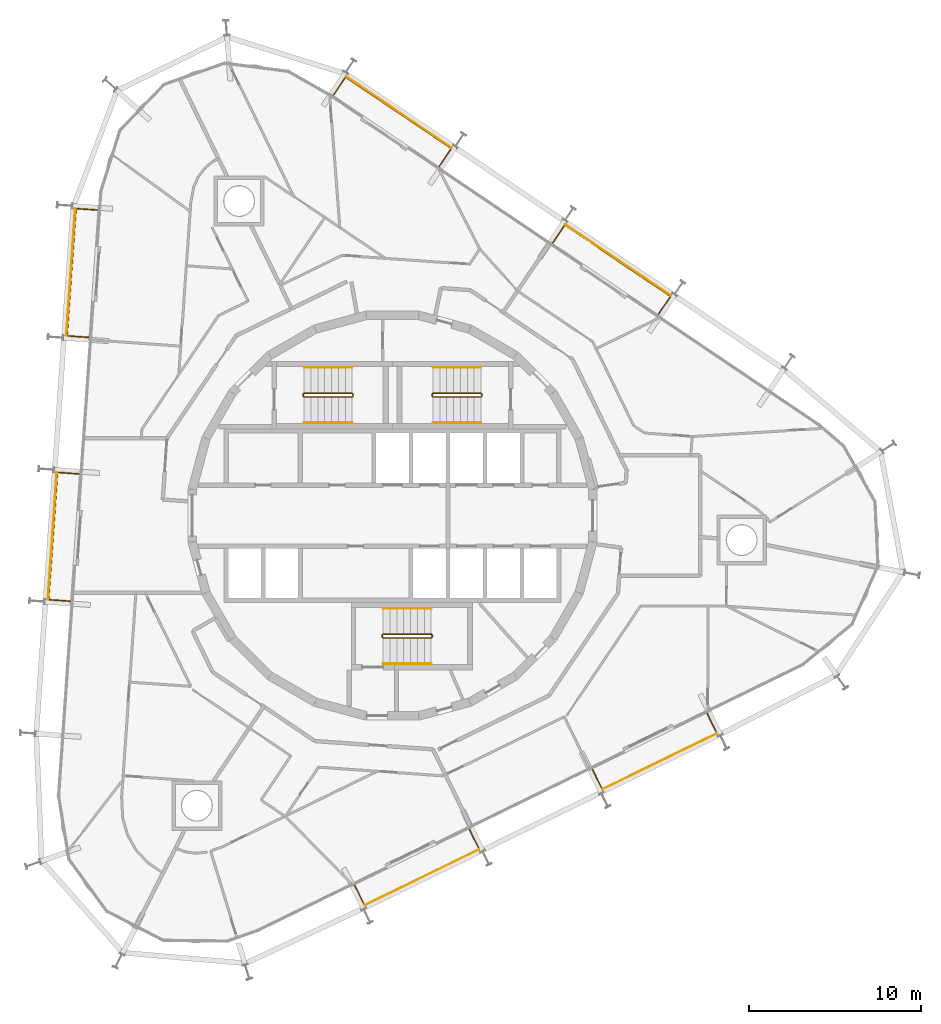
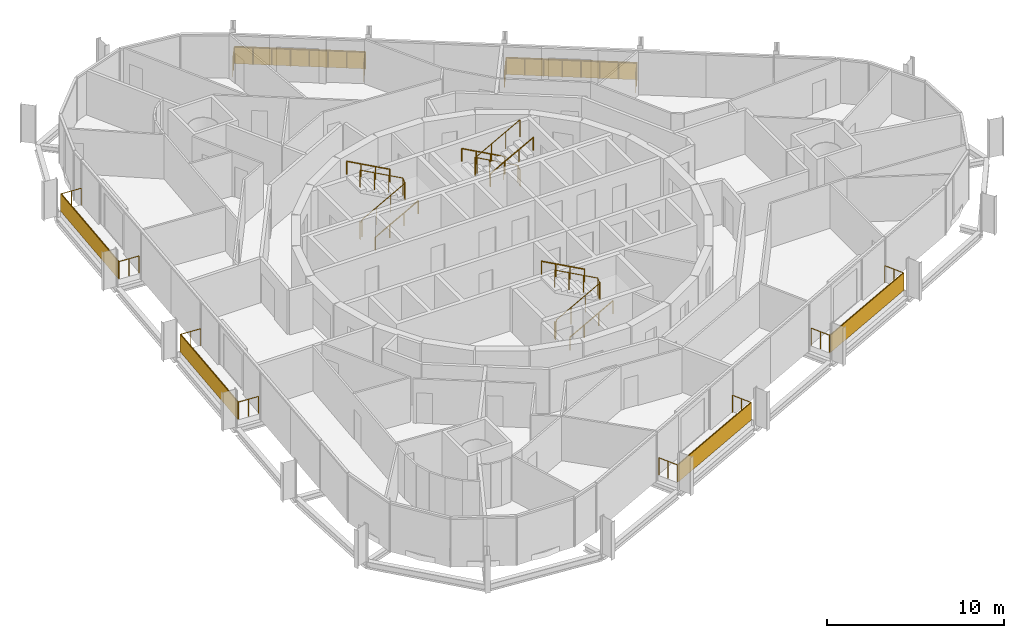
# One storey, part 17 of 17: 15 railings, 6 shading devices.
"""IFC4 building model written with IfcOpenShell, lengths in metres."""

import ifcopenshell
import ifcopenshell.guid

model = None  # the IFC model being written
_history = None  # IfcOwnerHistory: only IFC2X3 demands one
_inside = {}  # id of a spatial element -> (the spatial element, [elements in it])
_under = {}  # id of a project, library or spatial element -> (it, [spatial elements below it])
_declared = {}  # id of a project -> (the project, [libraries it declares])
_typed = {}  # id of a type object -> (the type object, [elements of that type])
_made_of = {}  # id of a material, layer set ... -> (it, [elements and type objects made of it])


def new_model(schema):
    """Start an empty IFC model of exactly this schema.

    Asked for "IFC4X3", IfcOpenShell would pick the latest addendum, in which some entities
    have other attributes; the version numbers below select the first issue.
    IFC2X3 requires an IfcOwnerHistory on every rooted entity: one is made here for all.
    """
    global model, _history
    if schema == "IFC4X3":
        model = ifcopenshell.file(schema_version=(4, 3, 0, 0))
    else:
        model = ifcopenshell.file(schema=schema)
    _inside.clear()
    _under.clear()
    _declared.clear()
    _typed.clear()
    _made_of.clear()
    _history = None
    if model.schema == "IFC2X3":
        org = make("IfcOrganization", Name="unknown")
        user = make(
            "IfcPersonAndOrganization",
            ThePerson=make("IfcPerson", FamilyName="unknown"),
            TheOrganization=org,
        )
        app = make(
            "IfcApplication",
            ApplicationDeveloper=org,
            Version="unknown",
            ApplicationFullName="unknown",
            ApplicationIdentifier="unknown",
        )
        _history = make(
            "IfcOwnerHistory",
            OwningUser=user,
            OwningApplication=app,
            ChangeAction="ADDED",
            CreationDate=0,
        )
    return model


def make(cls, **values):
    """One entity of the class cls with the attributes given. An attribute that is None is left unset."""
    return model.create_entity(
        cls, **{name: value for name, value in values.items() if value is not None}
    )


def rooted(cls, **values):
    """An entity with a GlobalId (a new one), such as an element, a storey or a relation."""
    return make(cls, GlobalId=ifcopenshell.guid.new(), OwnerHistory=_history, **values)


def si_unit(unit_type, name, prefix=None):
    """IfcSIUnit, for example si_unit("LENGTHUNIT", "METRE", prefix="MILLI")."""
    return make("IfcSIUnit", UnitType=unit_type, Prefix=prefix, Name=name)


def assignment(units):
    """IfcUnitAssignment: the units of a project."""
    return None if units is None else make("IfcUnitAssignment", Units=units)


def point(xyz):
    """IfcCartesianPoint."""
    return None if xyz is None else make("IfcCartesianPoint", Coordinates=xyz)


def direction(xyz):
    """IfcDirection."""
    return None if xyz is None else make("IfcDirection", DirectionRatios=xyz)


def frame(location, z_axis=None, x_axis=None):
    """IfcAxis2Placement3D, a coordinate frame: its origin and axes. An axis left out is left unset."""
    return make(
        "IfcAxis2Placement3D",
        Location=point(location),
        Axis=direction(z_axis),
        RefDirection=direction(x_axis),
    )


def frame_2d(location, x_axis=None):
    """IfcAxis2Placement2D, a coordinate frame in the plane: its origin and x axis."""
    return make(
        "IfcAxis2Placement2D", Location=point(location), RefDirection=direction(x_axis)
    )


def origin():
    """The frame at (0, 0, 0) with its axes left unset."""
    return frame((0.0, 0.0, 0.0))


def origin_2d():
    """The frame at (0, 0) in the plane with its x axis left unset."""
    return frame_2d((0.0, 0.0))


def place(relative_to, where):
    """IfcLocalPlacement: puts the frame where relative to a parent placement (None: the world)."""
    return make(
        "IfcLocalPlacement", PlacementRelTo=relative_to, RelativePlacement=where
    )


def context(
    kind, dimensions, precision=None, world=None, true_north=None, identifier=None
):
    """IfcGeometricRepresentationContext, for example the 3D "Model" context."""
    return make(
        "IfcGeometricRepresentationContext",
        ContextIdentifier=identifier,
        ContextType=kind,
        CoordinateSpaceDimension=dimensions,
        Precision=precision,
        WorldCoordinateSystem=world,
        TrueNorth=true_north,
    )


def subcontext(parent, identifier, kind, view, scale=None):
    """IfcGeometricRepresentationSubContext, for example "Body" below "Model"."""
    return make(
        "IfcGeometricRepresentationSubContext",
        ContextIdentifier=identifier,
        ContextType=kind,
        ParentContext=parent,
        TargetScale=scale,
        TargetView=view,
    )


def project(units=None, contexts=None):
    """IfcProject with its units and contexts."""
    return rooted(
        "IfcProject",
        Name="project",
        RepresentationContexts=contexts,
        UnitsInContext=assignment(units),
    )


def spatial(cls, under=None, at=None, **own):
    """A site, building, storey or space (cls), placed at a placement, below another one or the project."""
    s = rooted(cls, ObjectPlacement=at, **own)
    if under is not None:
        _under.setdefault(under.id(), (under, []))[1].append(s)
    return s


def profile(cls, at=None, kind="AREA", **sizes):
    """A parametric profile (cls). Its sizes go by their IFC names, for example OverallWidth=200.0."""
    return make(cls, ProfileType=kind, Position=at, **sizes)


def rectangle(**sizes):
    """IfcRectangleProfileDef."""
    return profile("IfcRectangleProfileDef", **sizes)


def circle(**sizes):
    """IfcCircleProfileDef."""
    return profile("IfcCircleProfileDef", **sizes)


def extrude(swept, where, along, depth):
    """IfcExtrudedAreaSolid: the profile swept, set in the frame where, extruded along a direction by depth."""
    return make(
        "IfcExtrudedAreaSolid",
        SweptArea=swept,
        Position=where,
        ExtrudedDirection=direction(along),
        Depth=depth,
    )


def shape(context_of_items, identifier, shape_type, items):
    """IfcShapeRepresentation: the items that make up one representation, for example the "Body"."""
    return make(
        "IfcShapeRepresentation",
        ContextOfItems=context_of_items,
        RepresentationIdentifier=identifier,
        RepresentationType=shape_type,
        Items=items,
    )


def material(Name=None, Category=None):
    """IfcMaterial."""
    return make("IfcMaterial", Name=Name, Category=Category)


def layer(
    of_material, thickness, ventilated=None, Name=None, Category=None, Priority=None
):
    """IfcMaterialLayer: one layer of a wall or slab, of a material (None: an air gap)."""
    return make(
        "IfcMaterialLayer",
        Material=of_material,
        LayerThickness=thickness,
        IsVentilated=ventilated,
        Name=Name,
        Category=Category,
        Priority=Priority,
    )


def layer_set(layers, Name=None):
    """IfcMaterialLayerSet."""
    return make("IfcMaterialLayerSet", MaterialLayers=layers, LayerSetName=Name)


def made_of(thing, what):
    """Note that an element or type object is made of a material, layer set ...; save() writes the relation."""
    if what is not None:
        _made_of.setdefault(what.id(), (what, []))[1].append(thing)
    return thing


def type_object(cls, material=None, **own):
    """A type object (cls), such as IfcWallType, which elements share."""
    return made_of(rooted(cls, **own), material)


def element(
    cls,
    number,
    at=None,
    inside=None,
    cuts=None,
    type_object=None,
    material=None,
    context=None,
    identifier="Body",
    shape_type=None,
    held_by="IfcProductDefinitionShape",
    body=None,
    shapes=None,
    **own,
):
    """One element of the class cls, such as IfcWall. Its Tag is "e" and its number.

    at: its placement. inside: the storey or other place that contains it. cuts: it is an
    opening in that element (IfcRelVoidsElement). A single representation is given by context,
    identifier, shape_type and body (its items); several are given by shapes. held_by: the class
    of the entity that holds the representations. save() writes the other relations.
    """
    e = rooted(cls, Tag="e%d" % number, ObjectPlacement=at, **own)
    if body is not None:
        shapes = [shape(context, identifier, shape_type, body)]
    if shapes is not None:
        e.Representation = make(held_by, Representations=shapes)
    if inside is not None:
        _inside.setdefault(inside.id(), (inside, []))[1].append(e)
    if cuts is not None:
        rooted(
            "IfcRelVoidsElement", RelatingBuildingElement=cuts, RelatedOpeningElement=e
        )
    if type_object is not None:
        _typed.setdefault(type_object.id(), (type_object, []))[1].append(e)
    return made_of(e, material)


def aggregate(whole, parts):
    """IfcRelAggregates: a whole, such as a stair, and the parts it consists of."""
    return rooted("IfcRelAggregates", RelatingObject=whole, RelatedObjects=parts)


def save(model, path):
    """Write the relations noted so far, then the file.

    IfcRelAggregates (storeys below a building ...), IfcRelContainedInSpatialStructure (elements
    in a storey), IfcRelDefinesByType, IfcRelAssociatesMaterial and IfcRelDeclares: one each for
    every whole, place, type object, material and project.
    """
    for whole, parts in _under.values():
        aggregate(whole, parts)
    for where, things in _inside.values():
        rooted(
            "IfcRelContainedInSpatialStructure",
            RelatedElements=things,
            RelatingStructure=where,
        )
    for kind, things in _typed.values():
        rooted("IfcRelDefinesByType", RelatedObjects=things, RelatingType=kind)
    for what, things in _made_of.values():
        rooted("IfcRelAssociatesMaterial", RelatedObjects=things, RelatingMaterial=what)
    for by, libraries in _declared.values():
        rooted("IfcRelDeclares", RelatingContext=by, RelatedDefinitions=libraries)
    model.write(path)


model = new_model("IFC4")

# Units and contexts
model_context = context("Model", 3, precision=1e-05, world=origin(), true_north=direction((0.0, 1.0)))
body_context = subcontext(model_context, "Body", "Model", "MODEL_VIEW")
ifc_project = project(units=[si_unit("LENGTHUNIT", "METRE"), si_unit("AREAUNIT", "SQUARE_METRE"), si_unit("VOLUMEUNIT", "CUBIC_METRE"), si_unit("PLANEANGLEUNIT", "RADIAN"), si_unit("MASSUNIT", "GRAM", prefix="KILO")], contexts=[model_context])

# Site, building, storey
site_placement = place(None, origin())
site = spatial("IfcSite", under=ifc_project, at=site_placement, CompositionType="ELEMENT")
building_placement = place(site_placement, origin())
building = spatial("IfcBuilding", under=site, at=building_placement, Name="Spindle Arch Residences", CompositionType="ELEMENT")
storey_placement = place(building_placement, frame((0.0, 0.0, 216.39990234375)))
storey = spatial("IfcBuildingStorey", under=building, at=storey_placement, Name="L55", CompositionType="ELEMENT", Elevation=216.39990234375)

# Railings
ifc_material_1 = material(Name="Bronze anodised aluminium guard with glass infill", Category="aluminium")
railing_type_1 = type_object("IfcRailingType", Name="Balcony guard 1200", PredefinedType="GUARDRAIL", material=ifc_material_1)
railing_1_placement = place(storey_placement, frame((11.632080078125, -14.76611328125, 0.0)))
element("IfcRailing", 1, at=railing_1_placement, inside=storey, type_object=railing_type_1, Name="Guard L55 bay 1", PredefinedType="GUARDRAIL", context=body_context, shape_type="SweptSolid", body=[
    extrude(circle(Radius=0.02392578125, at=origin_2d()), frame((0.0, 0.0, 1.17578125), z_axis=(0.438362050684, -0.898798482709, 0.0), x_axis=(0.898798482709, 0.438362050684, 0.0)), (0.0, 0.0, 1.0), 1.249755859375),
    extrude(circle(Radius=0.02392578125, at=origin_2d()), frame((0.5478515625, -1.123291015625, 1.17578125), z_axis=(0.898809845561, 0.438338752021, 0.0), x_axis=(-0.438338752021, 0.898809845561, 0.0)), (0.0, 0.0, 1.0), 7.423828125),
    extrude(circle(Radius=0.02392578125, at=origin_2d()), frame((7.220458984375, 2.130859375, 1.17578125), z_axis=(-0.438442870742, 0.898759060647, 0.0), x_axis=(-0.898759060647, -0.438442870742, 0.0)), (0.0, 0.0, 1.0), 1.25),
    extrude(circle(Radius=0.02099609375, at=origin_2d()), origin(), (0.0, 0.0, 1.0), 1.15185546875),
    extrude(circle(Radius=0.02099609375, at=origin_2d()), frame((0.27392578125, -0.5615234375, 0.0)), (0.0, 0.0, 1.0), 1.15185546875),
    extrude(circle(Radius=0.02099609375, at=origin_2d()), frame((0.5478515625, -1.123291015625, 0.0)), (0.0, 0.0, 1.0), 1.15185546875),
    extrude(circle(Radius=0.02099609375, at=origin_2d()), frame((1.5009765625, -0.658447265625, 0.0)), (0.0, 0.0, 1.0), 1.15185546875),
    extrude(circle(Radius=0.02099609375, at=origin_2d()), frame((2.454345703125, -0.193603515625, 0.0)), (0.0, 0.0, 1.0), 1.15185546875),
    extrude(circle(Radius=0.02099609375, at=origin_2d()), frame((3.407470703125, 0.271240234375, 0.0)), (0.0, 0.0, 1.0), 1.15185546875),
    extrude(circle(Radius=0.02099609375, at=origin_2d()), frame((4.36083984375, 0.736328125, 0.0)), (0.0, 0.0, 1.0), 1.15185546875),
    extrude(circle(Radius=0.02099609375, at=origin_2d()), frame((5.31396484375, 1.201171875, 0.0)), (0.0, 0.0, 1.0), 1.15185546875),
    extrude(circle(Radius=0.02099609375, at=origin_2d()), frame((6.267333984375, 1.666015625, 0.0)), (0.0, 0.0, 1.0), 1.15185546875),
    extrude(circle(Radius=0.02099609375, at=origin_2d()), frame((7.220458984375, 2.130859375, 0.0)), (0.0, 0.0, 1.0), 1.15185546875),
    extrude(circle(Radius=0.02099609375, at=origin_2d()), frame((6.9462890625, 2.692626953125, 0.0)), (0.0, 0.0, 1.0), 1.15185546875),
    extrude(circle(Radius=0.02099609375, at=origin_2d()), frame((6.67236328125, 3.25439453125, 0.0)), (0.0, 0.0, 1.0), 1.15185546875),
])
railing_2_placement = place(storey_placement, frame((15.47607421875, 11.72021484375, 0.0)))
element("IfcRailing", 2, at=railing_2_placement, inside=storey, type_object=railing_type_1, Name="Guard L55 bay 7", PredefinedType="GUARDRAIL", context=body_context, shape_type="SweptSolid", body=[
    extrude(circle(Radius=0.02392578125, at=origin_2d()), frame((0.0, 0.0, 1.17578125), z_axis=(0.559288375298, 0.828973167996, 0.0), x_axis=(-0.828973167996, 0.559288375298, 0.0)), (0.0, 0.0, 1.0), 1.250244140625),
    extrude(circle(Radius=0.02392578125, at=origin_2d()), frame((0.69921875, 1.036376953125, 1.17578125), z_axis=(-0.829032773144, 0.559200018824, 0.0), x_axis=(-0.559200018824, -0.829032773144, 0.0)), (0.0, 0.0, 1.0), 7.423828125),
    extrude(circle(Radius=0.02392578125, at=origin_2d()), frame((-5.455322265625, 5.187744140625, 1.17578125), z_axis=(-0.559154156027, -0.829063706718, 0.0), x_axis=(0.829063706718, -0.559154156027, 0.0)), (0.0, 0.0, 1.0), 1.25),
    extrude(circle(Radius=0.02099609375, at=origin_2d()), origin(), (0.0, 0.0, 1.0), 1.15185546875),
    extrude(circle(Radius=0.02099609375, at=origin_2d()), frame((0.349609375, 0.51806640625, 0.0)), (0.0, 0.0, 1.0), 1.15185546875),
    extrude(circle(Radius=0.02099609375, at=origin_2d()), frame((0.69921875, 1.036376953125, 0.0)), (0.0, 0.0, 1.0), 1.15185546875),
    extrude(circle(Radius=0.02099609375, at=origin_2d()), frame((-0.179931640625, 1.62939453125, 0.0)), (0.0, 0.0, 1.0), 1.15185546875),
    extrude(circle(Radius=0.02099609375, at=origin_2d()), frame((-1.059326171875, 2.222412109375, 0.0)), (0.0, 0.0, 1.0), 1.15185546875),
    extrude(circle(Radius=0.02099609375, at=origin_2d()), frame((-1.9384765625, 2.8154296875, 0.0)), (0.0, 0.0, 1.0), 1.15185546875),
    extrude(circle(Radius=0.02099609375, at=origin_2d()), frame((-2.817626953125, 3.40869140625, 0.0)), (0.0, 0.0, 1.0), 1.15185546875),
    extrude(circle(Radius=0.02099609375, at=origin_2d()), frame((-3.69677734375, 4.001708984375, 0.0)), (0.0, 0.0, 1.0), 1.15185546875),
    extrude(circle(Radius=0.02099609375, at=origin_2d()), frame((-4.576171875, 4.5947265625, 0.0)), (0.0, 0.0, 1.0), 1.15185546875),
    extrude(circle(Radius=0.02099609375, at=origin_2d()), frame((-5.455322265625, 5.187744140625, 0.0)), (0.0, 0.0, 1.0), 1.15185546875),
    extrude(circle(Radius=0.02099609375, at=origin_2d()), frame((-5.8046875, 4.66943359375, 0.0)), (0.0, 0.0, 1.0), 1.15185546875),
    extrude(circle(Radius=0.02099609375, at=origin_2d()), frame((-6.154296875, 4.1513671875, 0.0)), (0.0, 0.0, 1.0), 1.15185546875),
])
railing_3_placement = place(storey_placement, frame((2.719482421875, 20.324951171875, 0.0)))
element("IfcRailing", 3, at=railing_3_placement, inside=storey, type_object=railing_type_1, Name="Guard L55 bay 9", PredefinedType="GUARDRAIL", context=body_context, shape_type="SweptSolid", body=[
    extrude(circle(Radius=0.02392578125, at=origin_2d()), frame((0.0, 0.0, 1.17578125), z_axis=(0.559244705098, 0.829002629562, 0.0), x_axis=(-0.829002629562, 0.559244705098, 0.0)), (0.0, 0.0, 1.0), 1.249755859375),
    extrude(circle(Radius=0.02392578125, at=origin_2d()), frame((0.698974609375, 1.0361328125, 1.17578125), z_axis=(-0.829032773144, 0.559200018824, 0.0), x_axis=(-0.559200018824, -0.829032773144, 0.0)), (0.0, 0.0, 1.0), 7.423828125),
    extrude(circle(Radius=0.02392578125, at=origin_2d()), frame((-5.45556640625, 5.1875, 1.17578125), z_axis=(-0.559154156027, -0.829063706718, 0.0), x_axis=(0.829063706718, -0.559154156027, 0.0)), (0.0, 0.0, 1.0), 1.25),
    extrude(circle(Radius=0.02099609375, at=origin_2d()), origin(), (0.0, 0.0, 1.0), 1.15185546875),
    extrude(circle(Radius=0.02099609375, at=origin_2d()), frame((0.349609375, 0.51806640625, 0.0)), (0.0, 0.0, 1.0), 1.15185546875),
    extrude(circle(Radius=0.02099609375, at=origin_2d()), frame((0.698974609375, 1.0361328125, 0.0)), (0.0, 0.0, 1.0), 1.15185546875),
    extrude(circle(Radius=0.02099609375, at=origin_2d()), frame((-0.18017578125, 1.629150390625, 0.0)), (0.0, 0.0, 1.0), 1.15185546875),
    extrude(circle(Radius=0.02099609375, at=origin_2d()), frame((-1.0595703125, 2.22216796875, 0.0)), (0.0, 0.0, 1.0), 1.15185546875),
    extrude(circle(Radius=0.02099609375, at=origin_2d()), frame((-1.938720703125, 2.815185546875, 0.0)), (0.0, 0.0, 1.0), 1.15185546875),
    extrude(circle(Radius=0.02099609375, at=origin_2d()), frame((-2.81787109375, 3.408447265625, 0.0)), (0.0, 0.0, 1.0), 1.15185546875),
    extrude(circle(Radius=0.02099609375, at=origin_2d()), frame((-3.697021484375, 4.00146484375, 0.0)), (0.0, 0.0, 1.0), 1.15185546875),
    extrude(circle(Radius=0.02099609375, at=origin_2d()), frame((-4.576416015625, 4.594482421875, 0.0)), (0.0, 0.0, 1.0), 1.15185546875),
    extrude(circle(Radius=0.02099609375, at=origin_2d()), frame((-5.45556640625, 5.1875, 0.0)), (0.0, 0.0, 1.0), 1.15185546875),
    extrude(circle(Radius=0.02099609375, at=origin_2d()), frame((-5.80517578125, 4.66943359375, 0.0)), (0.0, 0.0, 1.0), 1.15185546875),
    extrude(circle(Radius=0.02099609375, at=origin_2d()), frame((-6.154541015625, 4.151123046875, 0.0)), (0.0, 0.0, 1.0), 1.15185546875),
])
railing_4_placement = place(storey_placement, frame((-17.172607421875, 17.77587890625, 0.0)))
element("IfcRailing", 4, at=railing_4_placement, inside=storey, type_object=railing_type_1, Name="Guard L55 bay 13", PredefinedType="GUARDRAIL", context=body_context, shape_type="SweptSolid", body=[
    extrude(circle(Radius=0.02392578125, at=origin_2d()), frame((0.0, 0.0, 1.17578125), z_axis=(-0.997566579437, 0.069720295391, 0.0), x_axis=(-0.069720295391, -0.997566579437, 0.0)), (0.0, 0.0, 1.0), 1.25),
    extrude(circle(Radius=0.02392578125, at=origin_2d()), frame((-1.2470703125, 0.087158203125, 1.17578125), z_axis=(-0.069753528744, -0.99756425619, 0.0), x_axis=(0.99756425619, -0.069753528744, 0.0)), (0.0, 0.0, 1.0), 7.423583984375),
    extrude(circle(Radius=0.02392578125, at=origin_2d()), frame((-1.764892578125, -7.318359375, 1.17578125), z_axis=(0.997566579437, -0.069720295391, 0.0), x_axis=(0.069720295391, 0.997566579437, 0.0)), (0.0, 0.0, 1.0), 1.25),
    extrude(circle(Radius=0.02099609375, at=origin_2d()), origin(), (0.0, 0.0, 1.0), 1.15185546875),
    extrude(circle(Radius=0.02099609375, at=origin_2d()), frame((-0.62353515625, 0.04345703125, 0.0)), (0.0, 0.0, 1.0), 1.15185546875),
    extrude(circle(Radius=0.02099609375, at=origin_2d()), frame((-1.2470703125, 0.087158203125, 0.0)), (0.0, 0.0, 1.0), 1.15185546875),
    extrude(circle(Radius=0.02099609375, at=origin_2d()), frame((-1.321044921875, -0.970703125, 0.0)), (0.0, 0.0, 1.0), 1.15185546875),
    extrude(circle(Radius=0.02099609375, at=origin_2d()), frame((-1.39501953125, -2.02880859375, 0.0)), (0.0, 0.0, 1.0), 1.15185546875),
    extrude(circle(Radius=0.02099609375, at=origin_2d()), frame((-1.468994140625, -3.086669921875, 0.0)), (0.0, 0.0, 1.0), 1.15185546875),
    extrude(circle(Radius=0.02099609375, at=origin_2d()), frame((-1.54296875, -4.14453125, 0.0)), (0.0, 0.0, 1.0), 1.15185546875),
    extrude(circle(Radius=0.02099609375, at=origin_2d()), frame((-1.616943359375, -5.202392578125, 0.0)), (0.0, 0.0, 1.0), 1.15185546875),
    extrude(circle(Radius=0.02099609375, at=origin_2d()), frame((-1.69091796875, -6.260498046875, 0.0)), (0.0, 0.0, 1.0), 1.15185546875),
    extrude(circle(Radius=0.02099609375, at=origin_2d()), frame((-1.764892578125, -7.318359375, 0.0)), (0.0, 0.0, 1.0), 1.15185546875),
    extrude(circle(Radius=0.02099609375, at=origin_2d()), frame((-1.141357421875, -7.36181640625, 0.0)), (0.0, 0.0, 1.0), 1.15185546875),
    extrude(circle(Radius=0.02099609375, at=origin_2d()), frame((-0.517822265625, -7.405517578125, 0.0)), (0.0, 0.0, 1.0), 1.15185546875),
])
railing_5_placement = place(storey_placement, frame((-18.24609375, 2.426025390625, 0.0)))
element("IfcRailing", 5, at=railing_5_placement, inside=storey, type_object=railing_type_1, Name="Guard L55 bay 15", PredefinedType="GUARDRAIL", context=body_context, shape_type="SweptSolid", body=[
    extrude(circle(Radius=0.02392578125, at=origin_2d()), frame((0.0, 0.0, 1.17578125), z_axis=(-0.997565629847, 0.069733880919, 0.0), x_axis=(-0.069733880919, -0.997565629847, 0.0)), (0.0, 0.0, 1.0), 1.249755859375),
    extrude(circle(Radius=0.02392578125, at=origin_2d()), frame((-1.246826171875, 0.087158203125, 1.17578125), z_axis=(-0.069751240415, -0.997564416196, 0.0), x_axis=(0.997564416196, -0.069751240415, 0.0)), (0.0, 0.0, 1.0), 7.423828125),
    extrude(circle(Radius=0.02392578125, at=origin_2d()), frame((-1.7646484375, -7.318603515625, 1.17578125), z_axis=(0.997565629847, -0.069733880919, 0.0), x_axis=(0.069733880919, 0.997565629847, 0.0)), (0.0, 0.0, 1.0), 1.249755859375),
    extrude(circle(Radius=0.02099609375, at=origin_2d()), origin(), (0.0, 0.0, 1.0), 1.15185546875),
    extrude(circle(Radius=0.02099609375, at=origin_2d()), frame((-0.62353515625, 0.04345703125, 0.0)), (0.0, 0.0, 1.0), 1.15185546875),
    extrude(circle(Radius=0.02099609375, at=origin_2d()), frame((-1.246826171875, 0.087158203125, 0.0)), (0.0, 0.0, 1.0), 1.15185546875),
    extrude(circle(Radius=0.02099609375, at=origin_2d()), frame((-1.32080078125, -0.970703125, 0.0)), (0.0, 0.0, 1.0), 1.15185546875),
    extrude(circle(Radius=0.02099609375, at=origin_2d()), frame((-1.394775390625, -2.02880859375, 0.0)), (0.0, 0.0, 1.0), 1.15185546875),
    extrude(circle(Radius=0.02099609375, at=origin_2d()), frame((-1.46875, -3.086669921875, 0.0)), (0.0, 0.0, 1.0), 1.15185546875),
    extrude(circle(Radius=0.02099609375, at=origin_2d()), frame((-1.542724609375, -4.144775390625, 0.0)), (0.0, 0.0, 1.0), 1.15185546875),
    extrude(circle(Radius=0.02099609375, at=origin_2d()), frame((-1.61669921875, -5.20263671875, 0.0)), (0.0, 0.0, 1.0), 1.15185546875),
    extrude(circle(Radius=0.02099609375, at=origin_2d()), frame((-1.690673828125, -6.2607421875, 0.0)), (0.0, 0.0, 1.0), 1.15185546875),
    extrude(circle(Radius=0.02099609375, at=origin_2d()), frame((-1.7646484375, -7.318603515625, 0.0)), (0.0, 0.0, 1.0), 1.15185546875),
    extrude(circle(Radius=0.02099609375, at=origin_2d()), frame((-1.14111328125, -7.3623046875, 0.0)), (0.0, 0.0, 1.0), 1.15185546875),
    extrude(circle(Radius=0.02099609375, at=origin_2d()), frame((-0.517822265625, -7.40576171875, 0.0)), (0.0, 0.0, 1.0), 1.15185546875),
])
railing_6_placement = place(storey_placement, frame((-2.197998046875, -21.511474609375, 0.0)))
element("IfcRailing", 6, at=railing_6_placement, inside=storey, type_object=railing_type_1, Name="Guard L55 bay 21", PredefinedType="GUARDRAIL", context=body_context, shape_type="SweptSolid", body=[
    extrude(circle(Radius=0.02392578125, at=origin_2d()), frame((0.0, 0.0, 1.17578125), z_axis=(0.438285095444, -0.898836011245, 0.0), x_axis=(0.898836011245, 0.438285095444, 0.0)), (0.0, 0.0, 1.0), 1.25),
    extrude(circle(Radius=0.02392578125, at=origin_2d()), frame((0.5478515625, -1.12353515625, 1.17578125), z_axis=(0.898790569069, 0.438378276096, 0.0), x_axis=(-0.438378276096, 0.898790569069, 0.0)), (0.0, 0.0, 1.0), 7.423828125),
    extrude(circle(Radius=0.02392578125, at=origin_2d()), frame((7.22021484375, 2.130859375, 1.17578125), z_axis=(-0.438285095444, 0.898836011245, 0.0), x_axis=(-0.898836011245, -0.438285095444, 0.0)), (0.0, 0.0, 1.0), 1.25),
    extrude(circle(Radius=0.02099609375, at=origin_2d()), origin(), (0.0, 0.0, 1.0), 1.15185546875),
    extrude(circle(Radius=0.02099609375, at=origin_2d()), frame((0.27392578125, -0.561767578125, 0.0)), (0.0, 0.0, 1.0), 1.15185546875),
    extrude(circle(Radius=0.02099609375, at=origin_2d()), frame((0.5478515625, -1.12353515625, 0.0)), (0.0, 0.0, 1.0), 1.15185546875),
    extrude(circle(Radius=0.02099609375, at=origin_2d()), frame((1.5009765625, -0.65869140625, 0.0)), (0.0, 0.0, 1.0), 1.15185546875),
    extrude(circle(Radius=0.02099609375, at=origin_2d()), frame((2.454345703125, -0.193603515625, 0.0)), (0.0, 0.0, 1.0), 1.15185546875),
    extrude(circle(Radius=0.02099609375, at=origin_2d()), frame((3.407470703125, 0.271240234375, 0.0)), (0.0, 0.0, 1.0), 1.15185546875),
    extrude(circle(Radius=0.02099609375, at=origin_2d()), frame((4.360595703125, 0.736083984375, 0.0)), (0.0, 0.0, 1.0), 1.15185546875),
    extrude(circle(Radius=0.02099609375, at=origin_2d()), frame((5.313720703125, 1.200927734375, 0.0)), (0.0, 0.0, 1.0), 1.15185546875),
    extrude(circle(Radius=0.02099609375, at=origin_2d()), frame((6.26708984375, 1.666015625, 0.0)), (0.0, 0.0, 1.0), 1.15185546875),
    extrude(circle(Radius=0.02099609375, at=origin_2d()), frame((7.22021484375, 2.130859375, 0.0)), (0.0, 0.0, 1.0), 1.15185546875),
    extrude(circle(Radius=0.02099609375, at=origin_2d()), frame((6.9462890625, 2.692626953125, 0.0)), (0.0, 0.0, 1.0), 1.15185546875),
    extrude(circle(Radius=0.02099609375, at=origin_2d()), frame((6.67236328125, 3.25439453125, 0.0)), (0.0, 0.0, 1.0), 1.15185546875),
])

# Shading devices
ifc_material_2 = material(Name="Bronze perforated cobogo screen")
ifc_layer = layer(ifc_material_2, 0.0390625)
ifc_layer_set = layer_set([ifc_layer], Name="Cobogo screen 1200")
shading_device_type = type_object("IfcShadingDeviceType", Name="Cobogo screen 1200", PredefinedType="USERDEFINED", material=ifc_layer_set)
for number, where, z_axis, x_axis, name in (
    (7, (15.533935546875, -14.298828125, 0.0), (0.0, 0.0, 1.0), (0.898794046299, 0.438371146789, 0.0), "Cobogo screen L55 bay 1"),
    (8, (13.12060546875, 14.86572265625, 0.0), (0.0, 0.0, 1.0), (-0.829037572555, 0.559192903471, 0.0), "Cobogo screen L55 bay 7"),
    (9, (0.36376953125, 23.470458984375, 0.0), (0.0, 0.0, 1.0), (-0.829037572555, 0.559192903471, 0.0), "Cobogo screen L55 bay 9"),
    (10, (-18.718994140625, 14.1630859375, 0.0), (0.0, 0.0, 1.0), (-0.069756473744, -0.99756405026, 0.0), "Cobogo screen L55 bay 13"),
    (11, (-19.792236328125, -1.186767578125, 0.0), (0.0, 0.0, 1.0), (-0.069756473744, -0.99756405026, 0.0), "Cobogo screen L55 bay 15"),
    (12, (1.703857421875, -21.044189453125, 0.0), (0.0, 0.0, 1.0), (0.898794046299, 0.438371146789, 0.0), "Cobogo screen L55 bay 21"),
):
    element("IfcShadingDevice", number, at=place(storey_placement, frame(where, z_axis=z_axis, x_axis=x_axis)), inside=storey, type_object=shading_device_type, Name=name, ObjectType="SCREEN", PredefinedType="USERDEFINED", context=body_context, shape_type="SweptSolid", body=[
        extrude(rectangle(XDim=7.423828125, YDim=0.0390625, at=origin_2d()), origin(), (0.0, 0.0, 1.0), 1.199951171875),
    ])

# Railings
ifc_material_3 = material(Name="Steel, painted", Category="steel")
railing_type_2 = type_object("IfcRailingType", Name="Stair guard 1100", PredefinedType="GUARDRAIL", material=ifc_material_3)
railing_7_placement = place(storey_placement, frame((5.14990234375, 6.89990234375, 3.5)))
element("IfcRailing", 13, at=railing_7_placement, inside=storey, type_object=railing_type_2, Name="L55 ST1 stair guard 1", PredefinedType="GUARDRAIL", context=body_context, shape_type="SweptSolid", body=[
    extrude(circle(Radius=0.02392578125, at=origin_2d()), frame((0.0, 0.0, 1.17578125), z_axis=(-0.877357048833, 0.0, -0.479838106931), x_axis=(0.0, -1.0, 0.0)), (0.0, 0.0, 1.0), 3.191162109375),
    extrude(circle(Radius=0.02392578125, at=origin_2d()), frame((-2.7998046875, 0.0, -0.35546875), z_axis=(-0.217683172539, 0.217683172539, -0.951434744366), x_axis=(-0.707106781187, -0.707106781187, 0.0)), (0.0, 0.0, 1.0), 0.22998046875),
    extrude(circle(Radius=0.02392578125, at=origin_2d()), frame((-2.849853515625, 0.050048828125, -0.57421875), z_axis=(0.0, 1.0, 0.0), x_axis=(-1.0, 0.0, 0.0)), (0.0, 0.0, 1.0), 0.1201171875),
    extrude(circle(Radius=0.02392578125, at=origin_2d()), frame((-2.849853515625, 0.170166015625, -0.57421875), z_axis=(0.707106781187, 0.707106781187, 0.0), x_axis=(-0.707106781187, 0.707106781187, 0.0)), (0.0, 0.0, 1.0), 0.07080078125),
    extrude(circle(Radius=0.02392578125, at=origin_2d()), frame((-2.7998046875, 0.22021484375, -0.57421875), z_axis=(0.877357048833, 0.0, -0.479838106931), x_axis=(0.0, 1.0, 0.0)), (0.0, 0.0, 1.0), 3.191162109375),
    extrude(circle(Radius=0.02392578125, at=origin_2d()), frame((0.0, 0.22021484375, -2.10546875), z_axis=(0.217683172539, -0.217683172539, -0.951434744366), x_axis=(0.707106781187, 0.707106781187, 0.0)), (0.0, 0.0, 1.0), 0.22998046875),
    extrude(circle(Radius=0.02392578125, at=origin_2d()), frame((0.050048828125, 0.170166015625, -2.32421875), z_axis=(0.0, -1.0, 0.0), x_axis=(1.0, 0.0, 0.0)), (0.0, 0.0, 1.0), 0.1201171875),
    extrude(circle(Radius=0.02099609375, at=origin_2d()), origin(), (0.0, 0.0, 1.0), 1.15185546875),
    extrude(circle(Radius=0.02099609375, at=origin_2d()), frame((-0.933349609375, 0.0, -0.510498046875)), (0.0, 0.0, 1.0), 1.15185546875),
    extrude(circle(Radius=0.02099609375, at=origin_2d()), frame((-1.866455078125, 0.0, -1.020751953125)), (0.0, 0.0, 1.0), 1.15185546875),
    extrude(circle(Radius=0.02099609375, at=origin_2d()), frame((-2.7998046875, 0.0, -1.53125)), (0.0, 0.0, 1.0), 1.15185546875),
    extrude(circle(Radius=0.02099609375, at=origin_2d()), frame((-2.849853515625, 0.050048828125, -1.75)), (0.0, 0.0, 1.0), 1.15185546875),
    extrude(circle(Radius=0.02099609375, at=origin_2d()), frame((-2.849853515625, 0.170166015625, -1.75)), (0.0, 0.0, 1.0), 1.15185546875),
    extrude(circle(Radius=0.02099609375, at=origin_2d()), frame((-2.7998046875, 0.22021484375, -1.75)), (0.0, 0.0, 1.0), 1.15185546875),
    extrude(circle(Radius=0.02099609375, at=origin_2d()), frame((-1.866455078125, 0.22021484375, -2.260498046875)), (0.0, 0.0, 1.0), 1.15185546875),
    extrude(circle(Radius=0.02099609375, at=origin_2d()), frame((-0.933349609375, 0.22021484375, -2.770751953125)), (0.0, 0.0, 1.0), 1.15185546875),
    extrude(circle(Radius=0.02099609375, at=origin_2d()), frame((0.0, 0.22021484375, -3.28125)), (0.0, 0.0, 1.0), 1.15185546875),
    extrude(circle(Radius=0.02099609375, at=origin_2d()), frame((0.050048828125, 0.170166015625, -3.5)), (0.0, 0.0, 1.0), 1.15185546875),
    extrude(circle(Radius=0.02099609375, at=origin_2d()), frame((0.050048828125, 0.050048828125, -3.5)), (0.0, 0.0, 1.0), 1.15185546875),
])
railing_8_placement = place(storey_placement, frame((-5.14990234375, 7.1201171875, 3.5)))
element("IfcRailing", 14, at=railing_8_placement, inside=storey, type_object=railing_type_2, Name="L55 ST2 stair guard 1", PredefinedType="GUARDRAIL", context=body_context, shape_type="SweptSolid", body=[
    extrude(circle(Radius=0.02392578125, at=origin_2d()), frame((0.0, 0.0, 1.17578125), z_axis=(0.877357048833, 0.0, -0.479838106931), x_axis=(0.0, 1.0, 0.0)), (0.0, 0.0, 1.0), 3.191162109375),
    extrude(circle(Radius=0.02392578125, at=origin_2d()), frame((2.7998046875, 0.0, -0.35546875), z_axis=(0.217683172539, -0.217683172539, -0.951434744366), x_axis=(0.707106781187, 0.707106781187, 0.0)), (0.0, 0.0, 1.0), 0.22998046875),
    extrude(circle(Radius=0.02392578125, at=origin_2d()), frame((2.849853515625, -0.050048828125, -0.57421875), z_axis=(0.0, -1.0, 0.0), x_axis=(1.0, 0.0, 0.0)), (0.0, 0.0, 1.0), 0.1201171875),
    extrude(circle(Radius=0.02392578125, at=origin_2d()), frame((2.849853515625, -0.170166015625, -0.57421875), z_axis=(-0.707106781187, -0.707106781187, 0.0), x_axis=(0.707106781187, -0.707106781187, 0.0)), (0.0, 0.0, 1.0), 0.07080078125),
    extrude(circle(Radius=0.02392578125, at=origin_2d()), frame((2.7998046875, -0.22021484375, -0.57421875), z_axis=(-0.877357048833, 0.0, -0.479838106931), x_axis=(0.0, -1.0, 0.0)), (0.0, 0.0, 1.0), 3.191162109375),
    extrude(circle(Radius=0.02392578125, at=origin_2d()), frame((0.0, -0.22021484375, -2.10546875), z_axis=(-0.217683172539, 0.217683172539, -0.951434744366), x_axis=(-0.707106781187, -0.707106781187, 0.0)), (0.0, 0.0, 1.0), 0.22998046875),
    extrude(circle(Radius=0.02392578125, at=origin_2d()), frame((-0.050048828125, -0.170166015625, -2.32421875), z_axis=(0.0, 1.0, 0.0), x_axis=(-1.0, 0.0, 0.0)), (0.0, 0.0, 1.0), 0.1201171875),
    extrude(circle(Radius=0.02099609375, at=origin_2d()), origin(), (0.0, 0.0, 1.0), 1.15185546875),
    extrude(circle(Radius=0.02099609375, at=origin_2d()), frame((0.933349609375, 0.0, -0.510498046875)), (0.0, 0.0, 1.0), 1.15185546875),
    extrude(circle(Radius=0.02099609375, at=origin_2d()), frame((1.866455078125, 0.0, -1.020751953125)), (0.0, 0.0, 1.0), 1.15185546875),
    extrude(circle(Radius=0.02099609375, at=origin_2d()), frame((2.7998046875, 0.0, -1.53125)), (0.0, 0.0, 1.0), 1.15185546875),
    extrude(circle(Radius=0.02099609375, at=origin_2d()), frame((2.849853515625, -0.050048828125, -1.75)), (0.0, 0.0, 1.0), 1.15185546875),
    extrude(circle(Radius=0.02099609375, at=origin_2d()), frame((2.849853515625, -0.170166015625, -1.75)), (0.0, 0.0, 1.0), 1.15185546875),
    extrude(circle(Radius=0.02099609375, at=origin_2d()), frame((2.7998046875, -0.22021484375, -1.75)), (0.0, 0.0, 1.0), 1.15185546875),
    extrude(circle(Radius=0.02099609375, at=origin_2d()), frame((1.866455078125, -0.22021484375, -2.260498046875)), (0.0, 0.0, 1.0), 1.15185546875),
    extrude(circle(Radius=0.02099609375, at=origin_2d()), frame((0.933349609375, -0.22021484375, -2.770751953125)), (0.0, 0.0, 1.0), 1.15185546875),
    extrude(circle(Radius=0.02099609375, at=origin_2d()), frame((0.0, -0.22021484375, -3.28125)), (0.0, 0.0, 1.0), 1.15185546875),
    extrude(circle(Radius=0.02099609375, at=origin_2d()), frame((-0.050048828125, -0.170166015625, -3.5)), (0.0, 0.0, 1.0), 1.15185546875),
    extrude(circle(Radius=0.02099609375, at=origin_2d()), frame((-0.050048828125, -0.050048828125, -3.5)), (0.0, 0.0, 1.0), 1.15185546875),
])
railing_9_placement = place(storey_placement, frame((-0.550048828125, -6.89990234375, 3.5)))
element("IfcRailing", 15, at=railing_9_placement, inside=storey, type_object=railing_type_2, Name="L55 ST3 stair guard 1", PredefinedType="GUARDRAIL", context=body_context, shape_type="SweptSolid", body=[
    extrude(circle(Radius=0.02392578125, at=origin_2d()), frame((0.0, 0.0, 1.17578125), z_axis=(0.877374661878, 0.0, -0.479805901063), x_axis=(0.0, 1.0, 0.0)), (0.0, 0.0, 1.0), 3.19140625),
    extrude(circle(Radius=0.02392578125, at=origin_2d()), frame((2.800048828125, 0.0, -0.35546875), z_axis=(0.217683172539, -0.217683172539, -0.951434744366), x_axis=(0.707106781187, 0.707106781187, 0.0)), (0.0, 0.0, 1.0), 0.22998046875),
    extrude(circle(Radius=0.02392578125, at=origin_2d()), frame((2.85009765625, -0.050048828125, -0.57421875), z_axis=(0.0, -1.0, 0.0), x_axis=(1.0, 0.0, 0.0)), (0.0, 0.0, 1.0), 0.1201171875),
    extrude(circle(Radius=0.02392578125, at=origin_2d()), frame((2.85009765625, -0.170166015625, -0.57421875), z_axis=(-0.707106781187, -0.707106781187, 0.0), x_axis=(0.707106781187, -0.707106781187, 0.0)), (0.0, 0.0, 1.0), 0.07080078125),
    extrude(circle(Radius=0.02392578125, at=origin_2d()), frame((2.800048828125, -0.22021484375, -0.57421875), z_axis=(-0.877374661878, 0.0, -0.479805901063), x_axis=(0.0, -1.0, 0.0)), (0.0, 0.0, 1.0), 3.19140625),
    extrude(circle(Radius=0.02392578125, at=origin_2d()), frame((0.0, -0.22021484375, -2.10546875), z_axis=(-0.217683172539, 0.217683172539, -0.951434744366), x_axis=(-0.707106781187, -0.707106781187, 0.0)), (0.0, 0.0, 1.0), 0.22998046875),
    extrude(circle(Radius=0.02392578125, at=origin_2d()), frame((-0.050048828125, -0.170166015625, -2.32421875), z_axis=(0.0, 1.0, 0.0), x_axis=(-1.0, 0.0, 0.0)), (0.0, 0.0, 1.0), 0.1201171875),
    extrude(circle(Radius=0.02099609375, at=origin_2d()), origin(), (0.0, 0.0, 1.0), 1.15185546875),
    extrude(circle(Radius=0.02099609375, at=origin_2d()), frame((0.933349609375, 0.0, -0.510498046875)), (0.0, 0.0, 1.0), 1.15185546875),
    extrude(circle(Radius=0.02099609375, at=origin_2d()), frame((1.86669921875, 0.0, -1.020751953125)), (0.0, 0.0, 1.0), 1.15185546875),
    extrude(circle(Radius=0.02099609375, at=origin_2d()), frame((2.800048828125, 0.0, -1.53125)), (0.0, 0.0, 1.0), 1.15185546875),
    extrude(circle(Radius=0.02099609375, at=origin_2d()), frame((2.85009765625, -0.050048828125, -1.75)), (0.0, 0.0, 1.0), 1.15185546875),
    extrude(circle(Radius=0.02099609375, at=origin_2d()), frame((2.85009765625, -0.170166015625, -1.75)), (0.0, 0.0, 1.0), 1.15185546875),
    extrude(circle(Radius=0.02099609375, at=origin_2d()), frame((2.800048828125, -0.22021484375, -1.75)), (0.0, 0.0, 1.0), 1.15185546875),
    extrude(circle(Radius=0.02099609375, at=origin_2d()), frame((1.86669921875, -0.22021484375, -2.260498046875)), (0.0, 0.0, 1.0), 1.15185546875),
    extrude(circle(Radius=0.02099609375, at=origin_2d()), frame((0.933349609375, -0.22021484375, -2.770751953125)), (0.0, 0.0, 1.0), 1.15185546875),
    extrude(circle(Radius=0.02099609375, at=origin_2d()), frame((0.0, -0.22021484375, -3.28125)), (0.0, 0.0, 1.0), 1.15185546875),
    extrude(circle(Radius=0.02099609375, at=origin_2d()), frame((-0.050048828125, -0.170166015625, -3.5)), (0.0, 0.0, 1.0), 1.15185546875),
    extrude(circle(Radius=0.02099609375, at=origin_2d()), frame((-0.050048828125, -0.050048828125, -3.5)), (0.0, 0.0, 1.0), 1.15185546875),
])
ifc_material_4 = material(Name="Steel, painted", Category="steel")
railing_type_3 = type_object("IfcRailingType", Name="Stair handrail 900", PredefinedType="HANDRAIL", material=ifc_material_4)
railing_10_placement = place(storey_placement, frame((5.14990234375, 8.6201171875, 0.21875)))
element("IfcRailing", 16, at=railing_10_placement, inside=storey, type_object=railing_type_3, Name="L55 ST1 stair handrail 1", PredefinedType="HANDRAIL", context=body_context, shape_type="SweptSolid", body=[
    extrude(circle(Radius=0.02392578125, at=origin_2d()), frame((0.0, 0.0, 0.8759765625), z_axis=(-0.877357048833, 0.0, 0.479838106931), x_axis=(0.0, -1.0, 0.0)), (0.0, 0.0, 1.0), 3.191162109375),
    extrude(circle(Radius=0.02099609375, at=origin_2d()), origin(), (0.0, 0.0, 1.0), 0.851806640625),
    extrude(circle(Radius=0.02099609375, at=origin_2d()), frame((-0.933349609375, 0.0, 0.510498046875)), (0.0, 0.0, 1.0), 0.851806640625),
    extrude(circle(Radius=0.02099609375, at=origin_2d()), frame((-1.866455078125, 0.0, 1.020751953125)), (0.0, 0.0, 1.0), 0.851806640625),
    extrude(circle(Radius=0.02099609375, at=origin_2d()), frame((-2.7998046875, 0.0, 1.53125)), (0.0, 0.0, 1.0), 0.851806640625),
])
for number, where, name in (
    (17, (2.35009765625, 5.39990234375, 1.96875), "L55 ST1 stair handrail 2"),
    (18, (-5.14990234375, 5.39990234375, 0.21875), "L55 ST2 stair handrail 1"),
):
    element("IfcRailing", number, at=place(storey_placement, frame(where)), inside=storey, type_object=railing_type_3, Name=name, PredefinedType="HANDRAIL", context=body_context, shape_type="SweptSolid", body=[
        extrude(circle(Radius=0.02392578125, at=origin_2d()), frame((0.0, 0.0, 0.8759765625), z_axis=(0.877357048833, 0.0, 0.479838106931), x_axis=(0.0, 1.0, 0.0)), (0.0, 0.0, 1.0), 3.191162109375),
        extrude(circle(Radius=0.02099609375, at=origin_2d()), origin(), (0.0, 0.0, 1.0), 0.851806640625),
        extrude(circle(Radius=0.02099609375, at=origin_2d()), frame((0.933349609375, 0.0, 0.510498046875)), (0.0, 0.0, 1.0), 0.851806640625),
        extrude(circle(Radius=0.02099609375, at=origin_2d()), frame((1.866455078125, 0.0, 1.020751953125)), (0.0, 0.0, 1.0), 0.851806640625),
        extrude(circle(Radius=0.02099609375, at=origin_2d()), frame((2.7998046875, 0.0, 1.53125)), (0.0, 0.0, 1.0), 0.851806640625),
    ])
railing_11_placement = place(storey_placement, frame((-2.35009765625, 8.6201171875, 1.96875)))
element("IfcRailing", 19, at=railing_11_placement, inside=storey, type_object=railing_type_3, Name="L55 ST2 stair handrail 2", PredefinedType="HANDRAIL", context=body_context, shape_type="SweptSolid", body=[
    extrude(circle(Radius=0.02392578125, at=origin_2d()), frame((0.0, 0.0, 0.8759765625), z_axis=(-0.877357048833, 0.0, 0.479838106931), x_axis=(0.0, -1.0, 0.0)), (0.0, 0.0, 1.0), 3.191162109375),
    extrude(circle(Radius=0.02099609375, at=origin_2d()), origin(), (0.0, 0.0, 1.0), 0.851806640625),
    extrude(circle(Radius=0.02099609375, at=origin_2d()), frame((-0.933349609375, 0.0, 0.510498046875)), (0.0, 0.0, 1.0), 0.851806640625),
    extrude(circle(Radius=0.02099609375, at=origin_2d()), frame((-1.866455078125, 0.0, 1.020751953125)), (0.0, 0.0, 1.0), 0.851806640625),
    extrude(circle(Radius=0.02099609375, at=origin_2d()), frame((-2.7998046875, 0.0, 1.53125)), (0.0, 0.0, 1.0), 0.851806640625),
])
railing_12_placement = place(storey_placement, frame((-0.550048828125, -8.6201171875, 0.21875)))
element("IfcRailing", 20, at=railing_12_placement, inside=storey, type_object=railing_type_3, Name="L55 ST3 stair handrail 1", PredefinedType="HANDRAIL", context=body_context, shape_type="SweptSolid", body=[
    extrude(circle(Radius=0.02392578125, at=origin_2d()), frame((0.0, 0.0, 0.8759765625), z_axis=(0.877374661878, 0.0, 0.479805901063), x_axis=(0.0, 1.0, 0.0)), (0.0, 0.0, 1.0), 3.19140625),
    extrude(circle(Radius=0.02099609375, at=origin_2d()), origin(), (0.0, 0.0, 1.0), 0.851806640625),
    extrude(circle(Radius=0.02099609375, at=origin_2d()), frame((0.933349609375, 0.0, 0.510498046875)), (0.0, 0.0, 1.0), 0.851806640625),
    extrude(circle(Radius=0.02099609375, at=origin_2d()), frame((1.86669921875, 0.0, 1.020751953125)), (0.0, 0.0, 1.0), 0.851806640625),
    extrude(circle(Radius=0.02099609375, at=origin_2d()), frame((2.800048828125, 0.0, 1.53125)), (0.0, 0.0, 1.0), 0.851806640625),
])
railing_13_placement = place(storey_placement, frame((2.25, -5.39990234375, 1.96875)))
element("IfcRailing", 21, at=railing_13_placement, inside=storey, type_object=railing_type_3, Name="L55 ST3 stair handrail 2", PredefinedType="HANDRAIL", context=body_context, shape_type="SweptSolid", body=[
    extrude(circle(Radius=0.02392578125, at=origin_2d()), frame((0.0, 0.0, 0.8759765625), z_axis=(-0.877374661878, 0.0, 0.479805901063), x_axis=(0.0, -1.0, 0.0)), (0.0, 0.0, 1.0), 3.19140625),
    extrude(circle(Radius=0.02099609375, at=origin_2d()), origin(), (0.0, 0.0, 1.0), 0.851806640625),
    extrude(circle(Radius=0.02099609375, at=origin_2d()), frame((-0.933349609375, 0.0, 0.510498046875)), (0.0, 0.0, 1.0), 0.851806640625),
    extrude(circle(Radius=0.02099609375, at=origin_2d()), frame((-1.86669921875, 0.0, 1.020751953125)), (0.0, 0.0, 1.0), 0.851806640625),
    extrude(circle(Radius=0.02099609375, at=origin_2d()), frame((-2.800048828125, 0.0, 1.53125)), (0.0, 0.0, 1.0), 0.851806640625),
])

save(model, "model.ifc")
